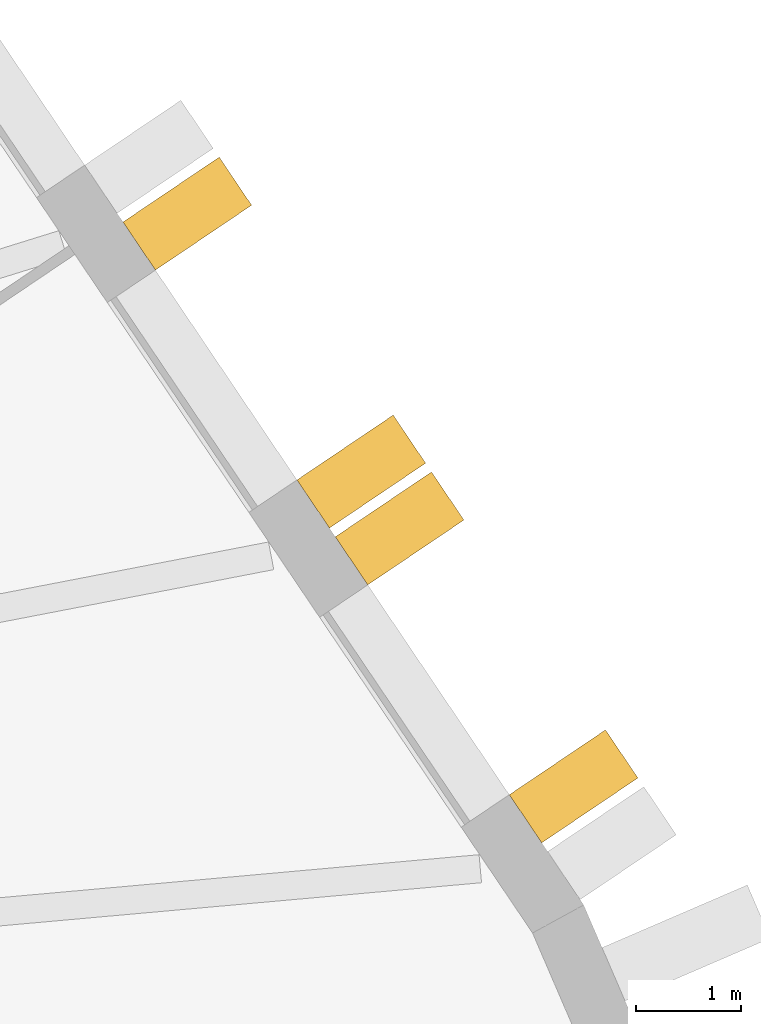
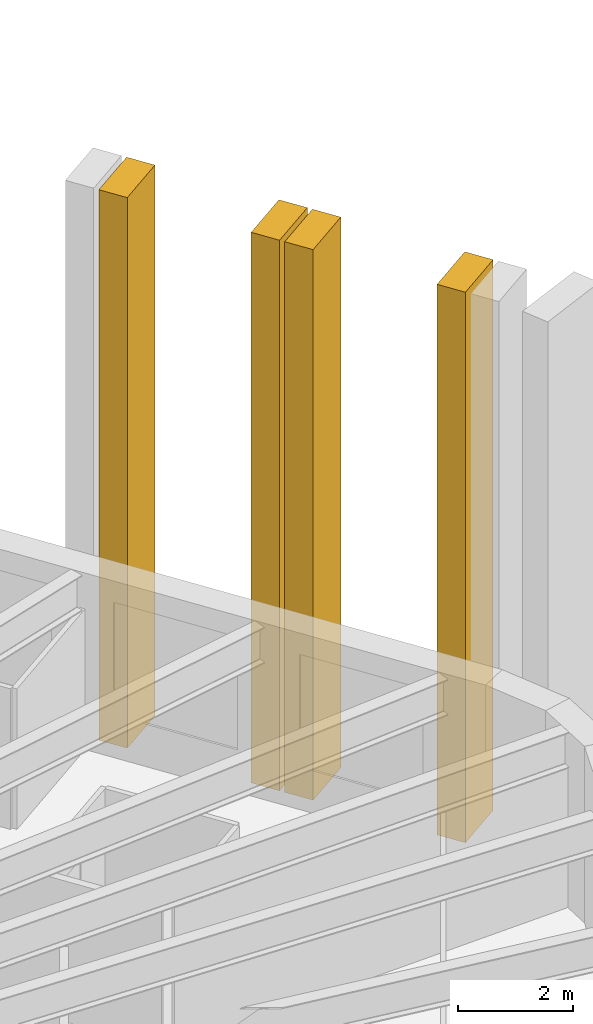
# One storey, part 13 of 13: 4 shading devices.
"""IFC4 building model written with IfcOpenShell, lengths in metres."""

from ifc_helpers import new_model, si_unit, direction, frame, origin, place, context, subcontext, project, spatial, polyline, outline, extrude, material, layer, layer_set, type_object, element, save


model = new_model("IFC4")

# Units and contexts
model_context = context("Model", 3, precision=1e-05, world=origin(), true_north=direction((0.0, 1.0)))
body_context = subcontext(model_context, "Body", "Model", "MODEL_VIEW")
ifc_project = project(units=[si_unit("LENGTHUNIT", "METRE"), si_unit("AREAUNIT", "SQUARE_METRE"), si_unit("VOLUMEUNIT", "CUBIC_METRE"), si_unit("PLANEANGLEUNIT", "RADIAN"), si_unit("MASSUNIT", "GRAM", prefix="KILO")], contexts=[model_context])

# Site, building, storey
site_placement = place(None, origin())
site = spatial("IfcSite", under=ifc_project, at=site_placement, CompositionType="ELEMENT")
building_placement = place(site_placement, origin())
building = spatial("IfcBuilding", under=site, at=building_placement, Name="Tarnside Tower", CompositionType="ELEMENT")
storey_placement = place(building_placement, frame((0.0, 0.0, 111.60009765625)))
storey = spatial("IfcBuildingStorey", under=building, at=storey_placement, Name="L25", CompositionType="ELEMENT", Elevation=111.60009765625)

# Shading devices
ifc_material = material(Name="Concrete C50/60 white precast", Category="concrete")
ifc_layer = layer(ifc_material, 0.550048828125)
ifc_layer_set = layer_set([ifc_layer], Name="Precast fin 550 x 1100")
shading_device_type = type_object("IfcShadingDeviceType", Name="Precast fin 550 x 1100", PredefinedType="USERDEFINED", material=ifc_layer_set)
for number, where, z_axis, x_axis, name in (
    (1, (33.4189453125, 4.10302734375, -0.150146484375), (0.559192903471, -0.829037572555, 0.0), (0.829037572555, 0.559192903471, 0.0), "Precast fin"),
    (2, (31.769287109375, 6.548583984375, -0.150146484375), (0.559192903471, -0.829037572555, 0.0), (0.829037572555, 0.559192903471, 0.0), "Precast fin"),
    (3, (31.406005859375, 7.087646484375, -0.150146484375), (0.559192903471, -0.829037572555, 0.0), (0.829037572555, 0.559192903471, 0.0), "Precast fin"),
    (4, (29.75634765625, 9.533203125, -0.150146484375), (0.559192903471, -0.829037572555, 0.0), (0.829037572555, 0.559192903471, 0.0), "Precast fin"),
):
    element("IfcShadingDevice", number, at=place(storey_placement, frame(where, z_axis=z_axis, x_axis=x_axis)), inside=storey, type_object=shading_device_type, Name=name, ObjectType="FIN", PredefinedType="USERDEFINED", context=body_context, shape_type="SweptSolid", body=[
        extrude(outline(polyline([(0.0, 0.0), (1.10009765625, 0.0), (1.10009765625, 11.699951171875), (0.0, 11.699951171875), (0.0, 0.0)])), frame((0.0, 0.0, -0.27490234375)), (0.0, 0.0, 1.0), 0.550048828125),
    ])

save(model, "model.ifc")
